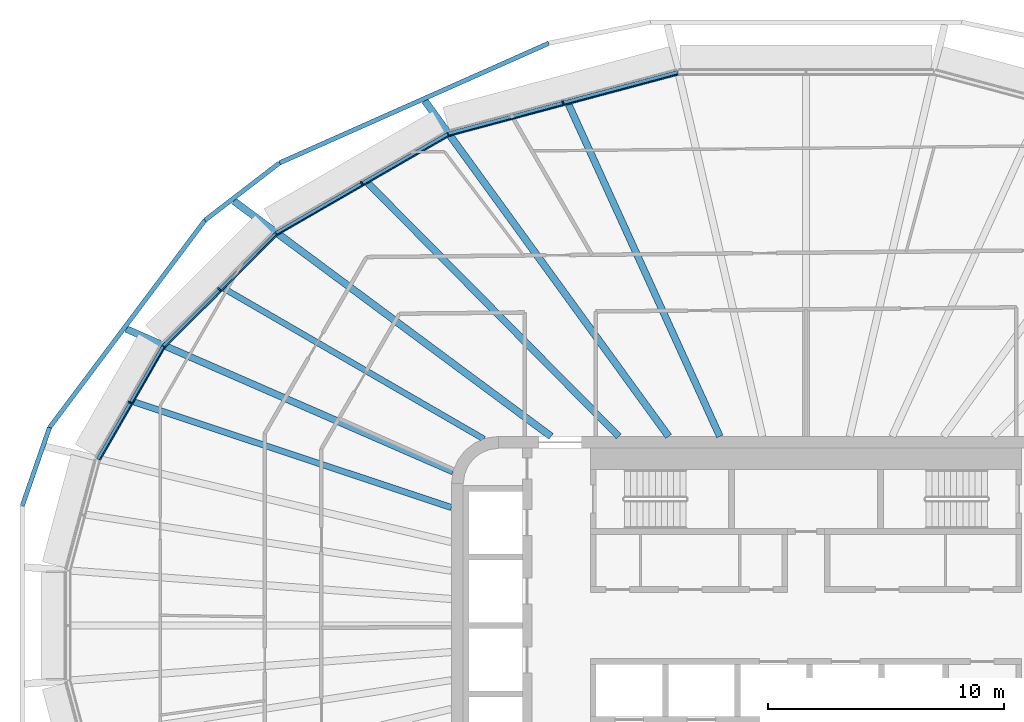
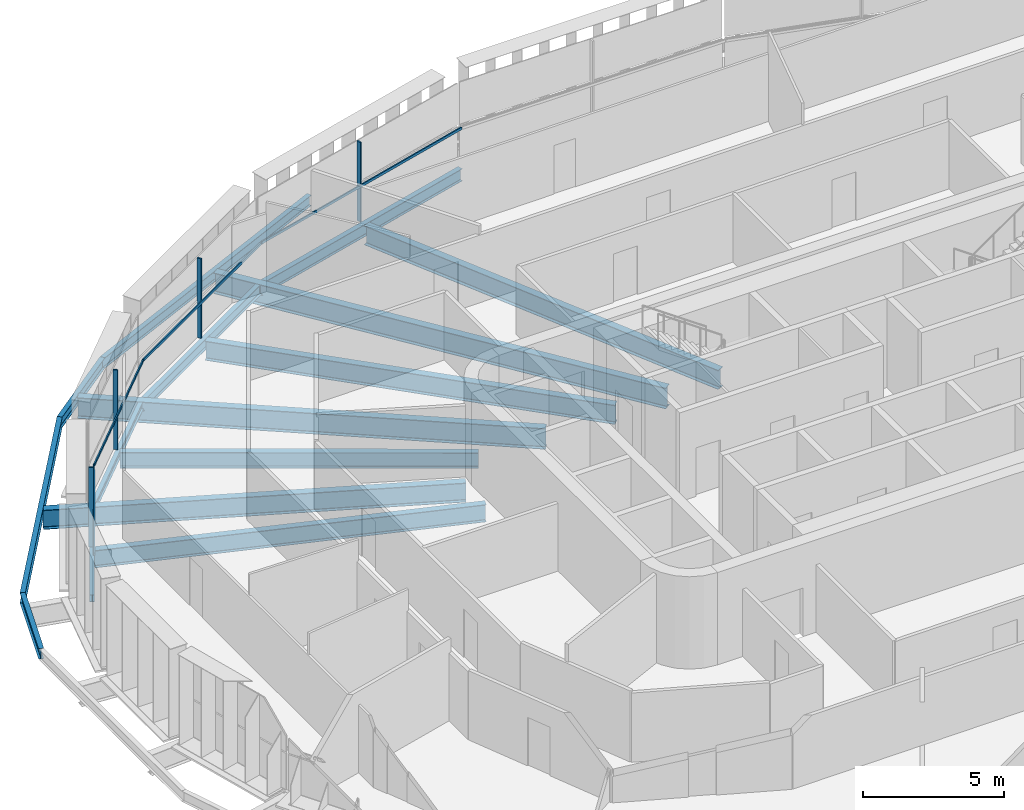
# One storey, part 5 of 23: 15 beams, 8 members, 4 elements without a shape of their own.
"""IFC4 building model written with IfcOpenShell, lengths in metres."""

from ifc_helpers import new_model, si_unit, direction, frame, origin, origin_2d, place, context, subcontext, project, spatial, rectangle, i_section, extrude, material, layer, layer_set, material_profile, profile_set, type_object, element, aggregate, save


model = new_model("IFC4")

# Units and contexts
model_context = context("Model", 3, precision=1e-05, world=origin(), true_north=direction((0.0, 1.0)))
body_context = subcontext(model_context, "Body", "Model", "MODEL_VIEW")
ifc_project = project(units=[si_unit("LENGTHUNIT", "METRE"), si_unit("AREAUNIT", "SQUARE_METRE"), si_unit("VOLUMEUNIT", "CUBIC_METRE"), si_unit("PLANEANGLEUNIT", "RADIAN"), si_unit("MASSUNIT", "GRAM", prefix="KILO")], contexts=[model_context])

# Site, building, storey
site_placement = place(None, origin())
site = spatial("IfcSite", under=ifc_project, at=site_placement, CompositionType="ELEMENT")
building_placement = place(site_placement, origin())
building = spatial("IfcBuilding", under=site, at=building_placement, Name="Sahrelin Media Tower", CompositionType="ELEMENT")
storey_placement = place(building_placement, frame((0.0, 0.0, 161.60009765625)))
storey = spatial("IfcBuildingStorey", under=building, at=storey_placement, Name="L33", CompositionType="ELEMENT", Elevation=161.60009765625)

# Beams
ifc_material_1 = material(Name="Steel S355", Category="steel")
ifc_material_profile_1 = material_profile(ifc_material_1, i_section(OverallWidth=0.1650390625, OverallDepth=0.303466796875, WebThickness=0.006103515625, FlangeThickness=0.01025390625, FilletRadius=0.0087890625, at=origin_2d()), Name="UB 305x165x40")
ifc_profile_set_1 = profile_set([ifc_material_profile_1], Name="Steel S355")
beam_type_1 = type_object("IfcBeamType", Name="Edge beam EB2", PredefinedType="BEAM", material=ifc_profile_set_1)
beam_1_placement = place(storey_placement, frame((-29.936279296875, 7.03125, -0.3017578125), z_axis=(0.499996181239, 0.866027608536, 0.0), x_axis=(-0.866027608536, 0.499996181239, 0.0)))
element("IfcBeam", 1, at=beam_1_placement, inside=storey, type_object=beam_type_1, Name="Edge beam L33-15", PredefinedType="BEAM", context=body_context, shape_type="SweptSolid", body=[
    extrude(i_section(OverallWidth=0.1650390625, OverallDepth=0.303466796875, WebThickness=0.006103515625, FlangeThickness=0.01025390625, FilletRadius=0.0087890625, at=origin_2d()), origin(), (0.0, 0.0, 1.0), 5.50732421875),
])
ifc_material_profile_2 = material_profile(ifc_material_1, i_section(OverallWidth=0.17138671875, OverallDepth=0.35498046875, WebThickness=0.00732421875, FlangeThickness=0.011474609375, FilletRadius=0.01025390625, at=origin_2d()), Name="UB 356x171x51")
ifc_profile_set_2 = profile_set([ifc_material_profile_2], Name="Steel S355")
beam_type_2 = type_object("IfcBeamType", Name="Edge beam EB3", PredefinedType="BEAM", material=ifc_profile_set_2)
beam_2_placement = place(storey_placement, frame((-27.1650390625, 11.823486328125, -0.32763671875), z_axis=(0.707088574851, 0.707124987054, 0.0), x_axis=(-0.707124987054, 0.707088574851, 0.0)))
element("IfcBeam", 2, at=beam_2_placement, inside=storey, type_object=beam_type_2, Name="Edge beam L33-16", PredefinedType="BEAM", context=body_context, shape_type="SweptSolid", body=[
    extrude(i_section(OverallWidth=0.17138671875, OverallDepth=0.35498046875, WebThickness=0.00732421875, FlangeThickness=0.011474609375, FilletRadius=0.01025390625, at=origin_2d()), origin(), (0.0, 0.0, 1.0), 6.704833984375),
])
ifc_material_profile_3 = material_profile(ifc_material_1, i_section(OverallWidth=0.1904296875, OverallDepth=0.45703125, WebThickness=0.009033203125, FlangeThickness=0.014404296875, FilletRadius=0.01025390625, at=origin_2d()), Name="UB 457x191x74")
ifc_profile_set_3 = profile_set([ifc_material_profile_3], Name="Steel S355")
beam_type_3 = type_object("IfcBeamType", Name="Edge beam EB5", PredefinedType="BEAM", material=ifc_profile_set_3)
beam_3_placement = place(storey_placement, frame((-22.401123046875, 16.58203125, -0.378662109375), z_axis=(0.866019985848, 0.500009384024, 0.0), x_axis=(-0.500009384024, 0.866019985848, 0.0)))
element("IfcBeam", 3, at=beam_3_placement, inside=storey, type_object=beam_type_3, Name="Edge beam L33-17", PredefinedType="BEAM", context=body_context, shape_type="SweptSolid", body=[
    extrude(i_section(OverallWidth=0.1904296875, OverallDepth=0.45703125, WebThickness=0.009033203125, FlangeThickness=0.014404296875, FilletRadius=0.01025390625, at=origin_2d()), origin(), (0.0, 0.0, 1.0), 8.371826171875),
])
ifc_material_profile_4 = material_profile(ifc_material_1, i_section(OverallWidth=0.208740234375, OverallDepth=0.5283203125, WebThickness=0.009521484375, FlangeThickness=0.01318359375, FilletRadius=0.0126953125, at=origin_2d()), Name="UB 533x210x82")
ifc_profile_set_4 = profile_set([ifc_material_profile_4], Name="Steel S355")
beam_type_4 = type_object("IfcBeamType", Name="Edge beam EB6", PredefinedType="BEAM", material=ifc_profile_set_4)
beam_4_placement = place(storey_placement, frame((-15.124267578125, 20.779052734375, -0.414306640625), z_axis=(0.965924398273, 0.258824374473, 0.0), x_axis=(-0.258824374473, 0.965924398273, 0.0)))
element("IfcBeam", 4, at=beam_4_placement, inside=storey, type_object=beam_type_4, Name="Edge beam L33-18", PredefinedType="BEAM", context=body_context, shape_type="SweptSolid", body=[
    extrude(i_section(OverallWidth=0.208740234375, OverallDepth=0.5283203125, WebThickness=0.009521484375, FlangeThickness=0.01318359375, FilletRadius=0.0126953125, at=origin_2d()), origin(), (0.0, 0.0, 1.0), 10.0439453125),
])

# Curtain wall, member
ifc_material_2 = material(Name="Champagne anodised aluminium 6063-T6", Category="aluminium")
ifc_layer = layer(ifc_material_2, 0.14990234375)
ifc_layer_set = layer_set([ifc_layer], Name="Tower ribbon curtain wall")
curtain_wall_type = type_object("IfcCurtainWallType", Name="Tower ribbon curtain wall", PredefinedType="NOTDEFINED", material=ifc_layer_set)
curtain_wall_1_placement = place(storey_placement, frame((-10.312255859375, 22.2236328125, 0.0), z_axis=(0.0, 0.0, 1.0), x_axis=(1.0, 0.0, 0.0)))
curtain_wall_1 = element("IfcCurtainWall", 5, at=curtain_wall_1_placement, inside=storey, type_object=curtain_wall_type, Name="L33:CW:L33-07", PredefinedType="NOTDEFINED")
ifc_material_profile_5 = material_profile(ifc_material_2, rectangle(XDim=0.06005859375, YDim=0.175048828125, at=origin_2d()), Name="Mullion 60x175")
ifc_profile_set_5 = profile_set([ifc_material_profile_5], Name="Champagne anodised aluminium 6063-T6")
member_type_1 = type_object("IfcMemberType", Name="Mullion 60x175 CW1B", PredefinedType="MULLION", material=ifc_profile_set_5)
member_1_placement = place(storey_placement, frame((-10.284423828125, 22.119873046875, 0.0), z_axis=(0.0, 0.0, 1.0), x_axis=(-0.965926729732, -0.258815673384, 0.0)))
member_1 = element("IfcMember", 6, at=member_1_placement, type_object=member_type_1, Name="L33:CWM:L33-07", PredefinedType="MULLION", context=body_context, shape_type="SweptSolid", body=[
    extrude(rectangle(XDim=0.06005859375, YDim=0.175048828125, at=origin_2d()), origin(), (0.0, 0.0, 1.0), 3.448486328125),
])

curtain_wall_2_placement = place(storey_placement, frame((-18.85107421875, 18.804931640625, 0.0), z_axis=(0.0, 0.0, 1.0), x_axis=(1.0, 0.0, 0.0)))
curtain_wall_2 = element("IfcCurtainWall", 7, at=curtain_wall_2_placement, inside=storey, type_object=curtain_wall_type, Name="L33:CW:L33-08", PredefinedType="NOTDEFINED")
member_2_placement = place(storey_placement, frame((-18.797119140625, 18.7119140625, 0.0), z_axis=(0.0, 0.0, 1.0), x_axis=(-0.866025403784, -0.5, 0.0)))
member_2 = element("IfcMember", 8, at=member_2_placement, type_object=member_type_1, Name="L33:CWM:L33-08", PredefinedType="MULLION", context=body_context, shape_type="SweptSolid", body=[
    extrude(rectangle(XDim=0.06005859375, YDim=0.175048828125, at=origin_2d()), origin(), (0.0, 0.0, 1.0), 3.448486328125),
])

curtain_wall_3_placement = place(storey_placement, frame((-24.900390625, 14.300048828125, 0.0), z_axis=(0.0, 0.0, 1.0), x_axis=(1.0, 0.0, 0.0)))
curtain_wall_3 = element("IfcCurtainWall", 9, at=curtain_wall_3_placement, inside=storey, type_object=curtain_wall_type, Name="L33:CW:L33-09", PredefinedType="NOTDEFINED")
member_3_placement = place(storey_placement, frame((-24.824462890625, 14.22412109375, 0.0), z_axis=(0.0, 0.0, 1.0), x_axis=(-0.707106781187, -0.707106781187, 0.0)))
member_3 = element("IfcMember", 10, at=member_3_placement, type_object=member_type_1, Name="L33:CWM:L33-09", PredefinedType="MULLION", context=body_context, shape_type="SweptSolid", body=[
    extrude(rectangle(XDim=0.06005859375, YDim=0.175048828125, at=origin_2d()), origin(), (0.0, 0.0, 1.0), 3.448486328125),
])

curtain_wall_4_placement = place(storey_placement, frame((-28.689208984375, 9.490966796875, 0.0), z_axis=(0.0, 0.0, 1.0), x_axis=(1.0, 0.0, 0.0)))
curtain_wall_4 = element("IfcCurtainWall", 11, at=curtain_wall_4_placement, inside=storey, type_object=curtain_wall_type, Name="L33:CW:L33-10", PredefinedType="NOTDEFINED")
member_4_placement = place(storey_placement, frame((-28.59619140625, 9.437255859375, 0.0), z_axis=(0.0, 0.0, 1.0), x_axis=(-0.4999984885, -0.866026276448, 0.0)))
member_4 = element("IfcMember", 12, at=member_4_placement, type_object=member_type_1, Name="L33:CWM:L33-10", PredefinedType="MULLION", context=body_context, shape_type="SweptSolid", body=[
    extrude(rectangle(XDim=0.06005859375, YDim=0.175048828125, at=origin_2d()), origin(), (0.0, 0.0, 1.0), 3.448486328125),
])

# Beams
ifc_material_profile_6 = material_profile(ifc_material_1, i_section(OverallWidth=0.291748046875, OverallDepth=0.8349609375, WebThickness=0.013916015625, FlangeThickness=0.018798828125, FilletRadius=0.017822265625, at=origin_2d()), Name="UB 838x292x176")
ifc_profile_set_6 = profile_set([ifc_material_profile_6], Name="Steel S355")
beam_type_5 = type_object("IfcBeamType", Name="Radial primary beam PB10", PredefinedType="BEAM", material=ifc_profile_set_6)
beam_5_placement = place(storey_placement, frame((-14.9326171875, 6.51318359375, -0.567626953125), z_axis=(-0.916605175985, 0.399793635964, 0.0), x_axis=(-0.399793635964, -0.916605175985, 0.0)))
element("IfcBeam", 13, at=beam_5_placement, inside=storey, type_object=beam_type_5, Name="Radial beam L33-10", PredefinedType="BEAM", context=body_context, shape_type="SweptSolid", body=[
    extrude(i_section(OverallWidth=0.291748046875, OverallDepth=0.8349609375, WebThickness=0.013916015625, FlangeThickness=0.018798828125, FilletRadius=0.017822265625, at=origin_2d()), origin(), (0.0, 0.0, 1.0), 15.082275390625),
])
ifc_material_profile_7 = material_profile(ifc_material_1, i_section(OverallWidth=0.30322265625, OverallDepth=0.903076171875, WebThickness=0.01513671875, FlangeThickness=0.020263671875, FilletRadius=0.01904296875, at=origin_2d()), Name="UB 914x305x201")
ifc_profile_set_7 = profile_set([ifc_material_profile_7], Name="Steel S355")
beam_type_6 = type_object("IfcBeamType", Name="Radial primary beam PB11", PredefinedType="BEAM", material=ifc_profile_set_7)
beam_6_placement = place(storey_placement, frame((-5.8125, 8.0, -0.6015625), z_axis=(-0.587799384359, 0.809006726639, 0.0), x_axis=(-0.809006726639, -0.587799384359, 0.0)))
element("IfcBeam", 14, at=beam_6_placement, inside=storey, type_object=beam_type_6, Name="Radial beam L33-08", PredefinedType="BEAM", context=body_context, shape_type="SweptSolid", body=[
    extrude(i_section(OverallWidth=0.30322265625, OverallDepth=0.903076171875, WebThickness=0.01513671875, FlangeThickness=0.020263671875, FilletRadius=0.01904296875, at=origin_2d()), origin(), (0.0, 0.0, 1.0), 17.54833984375),
])
beam_7_placement = place(storey_placement, frame((-10.784423828125, 8.0, -0.6015625), z_axis=(-0.803147173912, 0.595780678637, 0.0), x_axis=(-0.595780678637, -0.803147173912, 0.0)))
element("IfcBeam", 15, at=beam_7_placement, inside=storey, type_object=beam_type_6, Name="Radial beam L33-09", PredefinedType="BEAM", context=body_context, shape_type="SweptSolid", body=[
    extrude(i_section(OverallWidth=0.30322265625, OverallDepth=0.903076171875, WebThickness=0.01513671875, FlangeThickness=0.020263671875, FilletRadius=0.01904296875, at=origin_2d()), origin(), (0.0, 0.0, 1.0), 16.7158203125),
])
ifc_material_profile_8 = material_profile(ifc_material_1, i_section(OverallWidth=0.291748046875, OverallDepth=0.8349609375, WebThickness=0.013916015625, FlangeThickness=0.018798828125, FilletRadius=0.017822265625, at=origin_2d()), Name="UB 838x292x176")
ifc_profile_set_8 = profile_set([ifc_material_profile_8], Name="Steel S355")
beam_type_7 = type_object("IfcBeamType", Name="Radial secondary beam SB10", PredefinedType="BEAM", material=ifc_profile_set_8)
beam_8_placement = place(storey_placement, frame((-3.64501953125, 8.0, -0.567626953125), z_axis=(-0.414613847662, 0.909997449077, 0.0), x_axis=(-0.909997449077, -0.414613847662, 0.0)))
element("IfcBeam", 16, at=beam_8_placement, inside=storey, type_object=beam_type_7, Name="Secondary beam L33-07", PredefinedType="BEAM", context=body_context, shape_type="SweptSolid", body=[
    extrude(i_section(OverallWidth=0.291748046875, OverallDepth=0.8349609375, WebThickness=0.013916015625, FlangeThickness=0.018798828125, FilletRadius=0.017822265625, at=origin_2d()), origin(), (0.0, 0.0, 1.0), 15.421630859375),
])
beam_9_placement = place(storey_placement, frame((-7.921142578125, 8.0, -0.567626953125), z_axis=(-0.703599162107, 0.710597086317, 0.0), x_axis=(-0.710597086317, -0.703599162107, 0.0)))
element("IfcBeam", 17, at=beam_9_placement, inside=storey, type_object=beam_type_7, Name="Secondary beam L33-08", PredefinedType="BEAM", context=body_context, shape_type="SweptSolid", body=[
    extrude(i_section(OverallWidth=0.291748046875, OverallDepth=0.8349609375, WebThickness=0.013916015625, FlangeThickness=0.018798828125, FilletRadius=0.017822265625, at=origin_2d()), origin(), (0.0, 0.0, 1.0), 15.071533203125),
])
ifc_material_profile_9 = material_profile(ifc_material_1, i_section(OverallWidth=0.2529296875, OverallDepth=0.677978515625, WebThickness=0.01171875, FlangeThickness=0.01611328125, FilletRadius=0.01513671875, at=origin_2d()), Name="UB 686x254x125")
ifc_profile_set_9 = profile_set([ifc_material_profile_9], Name="Steel S355")
beam_type_8 = type_object("IfcBeamType", Name="Radial secondary beam SB8", PredefinedType="BEAM", material=ifc_profile_set_9)
beam_10_placement = place(storey_placement, frame((-13.624755859375, 7.887451171875, -0.489013671875), z_axis=(-0.865442516247, 0.501008234535, 0.0), x_axis=(-0.501008234535, -0.865442516247, 0.0)))
element("IfcBeam", 18, at=beam_10_placement, inside=storey, type_object=beam_type_8, Name="Secondary beam L33-09", PredefinedType="BEAM", context=body_context, shape_type="SweptSolid", body=[
    extrude(i_section(OverallWidth=0.2529296875, OverallDepth=0.677978515625, WebThickness=0.01171875, FlangeThickness=0.01611328125, FilletRadius=0.01513671875, at=origin_2d()), origin(), (0.0, 0.0, 1.0), 12.700927734375),
])
ifc_material_profile_10 = material_profile(ifc_material_1, i_section(OverallWidth=0.26513671875, OverallDepth=0.75390625, WebThickness=0.0126953125, FlangeThickness=0.017578125, FilletRadius=0.0166015625, at=origin_2d()), Name="UB 762x267x147")
ifc_profile_set_10 = profile_set([ifc_material_profile_10], Name="Steel S355")
beam_type_9 = type_object("IfcBeamType", Name="Radial secondary beam SB9", PredefinedType="BEAM", material=ifc_profile_set_10)
beam_11_placement = place(storey_placement, frame((-15.0, 4.990234375, -0.527099609375), z_axis=(-0.948867590332, 0.315674351219, 0.0), x_axis=(-0.315674351219, -0.948867590332, 0.0)))
element("IfcBeam", 19, at=beam_11_placement, inside=storey, type_object=beam_type_9, Name="Secondary beam L33-10", PredefinedType="BEAM", context=body_context, shape_type="SweptSolid", body=[
    extrude(i_section(OverallWidth=0.26513671875, OverallDepth=0.75390625, WebThickness=0.0126953125, FlangeThickness=0.017578125, FilletRadius=0.0166015625, at=origin_2d()), origin(), (0.0, 0.0, 1.0), 14.162353515625),
])
ifc_material_profile_11 = material_profile(ifc_material_1, i_section(OverallWidth=0.1904296875, OverallDepth=0.45703125, WebThickness=0.009033203125, FlangeThickness=0.014404296875, FilletRadius=0.01025390625, at=origin_2d()), Name="UB 457x191x74")
ifc_profile_set_11 = profile_set([ifc_material_profile_11], Name="Steel S355")
beam_type_10 = type_object("IfcBeamType", Name="Tie chord TC5", PredefinedType="BEAM", material=ifc_profile_set_11)
beam_12_placement = place(storey_placement, frame((-10.8828125, 24.631591796875, -0.378662109375), z_axis=(-0.913823664299, -0.40611120468, 0.0), x_axis=(0.40611120468, -0.913823664299, 0.0)))
element("IfcBeam", 20, at=beam_12_placement, inside=storey, type_object=beam_type_10, Name="Tie chord L33-08", PredefinedType="BEAM", context=body_context, shape_type="SweptSolid", body=[
    extrude(i_section(OverallWidth=0.1904296875, OverallDepth=0.45703125, WebThickness=0.009033203125, FlangeThickness=0.014404296875, FilletRadius=0.01025390625, at=origin_2d()), origin(), (0.0, 0.0, 1.0), 12.464111328125),
])
beam_13_placement = place(storey_placement, frame((-22.272705078125, 19.56982421875, -0.378662109375), z_axis=(-0.792471121329, -0.609909437424, 0.0), x_axis=(0.609909437424, -0.792471121329, 0.0)))
element("IfcBeam", 21, at=beam_13_placement, inside=storey, type_object=beam_type_10, Name="Tie chord L33-09", PredefinedType="BEAM", context=body_context, shape_type="SweptSolid", body=[
    extrude(i_section(OverallWidth=0.1904296875, OverallDepth=0.45703125, WebThickness=0.009033203125, FlangeThickness=0.014404296875, FilletRadius=0.01025390625, at=origin_2d()), origin(), (0.0, 0.0, 1.0), 3.978515625),
])
beam_14_placement = place(storey_placement, frame((-25.425537109375, 17.143310546875, -0.378662109375), z_axis=(-0.600060592458, -0.799954552071, 0.0), x_axis=(0.799954552071, -0.600060592458, 0.0)))
element("IfcBeam", 22, at=beam_14_placement, inside=storey, type_object=beam_type_10, Name="Tie chord L33-10", PredefinedType="BEAM", context=body_context, shape_type="SweptSolid", body=[
    extrude(i_section(OverallWidth=0.1904296875, OverallDepth=0.45703125, WebThickness=0.009033203125, FlangeThickness=0.014404296875, FilletRadius=0.01025390625, at=origin_2d()), origin(), (0.0, 0.0, 1.0), 10.959228515625),
])
beam_15_placement = place(storey_placement, frame((-32.001708984375, 8.37646484375, -0.378662109375), z_axis=(-0.328720253027, -0.944427337199, 0.0), x_axis=(0.944427337199, -0.328720253027, 0.0)))
element("IfcBeam", 23, at=beam_15_placement, inside=storey, type_object=beam_type_10, Name="Tie chord L33-11", PredefinedType="BEAM", context=body_context, shape_type="SweptSolid", body=[
    extrude(i_section(OverallWidth=0.1904296875, OverallDepth=0.45703125, WebThickness=0.009033203125, FlangeThickness=0.014404296875, FilletRadius=0.01025390625, at=origin_2d()), origin(), (0.0, 0.0, 1.0), 3.510009765625),
])

# Member
ifc_material_profile_12 = material_profile(ifc_material_2, rectangle(XDim=0.050048828125, YDim=0.110107421875, at=origin_2d()), Name="Transom 50x110")
ifc_profile_set_12 = profile_set([ifc_material_profile_12], Name="Champagne anodised aluminium 6063-T6")
member_type_2 = type_object("IfcMemberType", Name="Transom 50x110 CW1B", PredefinedType="USERDEFINED", material=ifc_profile_set_12)
member_5_placement = place(storey_placement, frame((-5.419677734375, 23.306884765625, 1.599853515625), z_axis=(-0.965929113775, -0.258806775726, 0.0), x_axis=(0.258806775726, -0.965929113775, 0.0)))
member_5 = element("IfcMember", 24, at=member_5_placement, type_object=member_type_2, Name="L33:CWT:L33-07", ObjectType="TRANSOM", PredefinedType="USERDEFINED", context=body_context, shape_type="SweptSolid", body=[
    extrude(rectangle(XDim=0.050048828125, YDim=0.110107421875, at=origin_2d()), origin(), (0.0, 0.0, 1.0), 10.012451171875),
])

aggregate(curtain_wall_1, [member_1, member_5])

member_6_placement = place(storey_placement, frame((-15.12939453125, 20.69970703125, 1.599853515625), z_axis=(-0.866018876994, -0.500011304563, 0.0), x_axis=(0.500011304563, -0.866018876994, 0.0)))
member_6 = element("IfcMember", 25, at=member_6_placement, type_object=member_type_2, Name="L33:CWT:L33-08", ObjectType="TRANSOM", PredefinedType="USERDEFINED", context=body_context, shape_type="SweptSolid", body=[
    extrude(rectangle(XDim=0.050048828125, YDim=0.110107421875, at=origin_2d()), origin(), (0.0, 0.0, 1.0), 8.340576171875),
])

aggregate(curtain_wall_2, [member_2, member_6])

member_7_placement = place(storey_placement, frame((-22.385498046875, 16.50390625, 1.599853515625), z_axis=(-0.707125072767, -0.707088489133, 0.0), x_axis=(0.707088489133, -0.707125072767, 0.0)))
member_7 = element("IfcMember", 26, at=member_7_placement, type_object=member_type_2, Name="L33:CWT:L33-09", ObjectType="TRANSOM", PredefinedType="USERDEFINED", context=body_context, shape_type="SweptSolid", body=[
    extrude(rectangle(XDim=0.050048828125, YDim=0.110107421875, at=origin_2d()), origin(), (0.0, 0.0, 1.0), 6.673583984375),
])

aggregate(curtain_wall_3, [member_3, member_7])

member_8_placement = place(storey_placement, frame((-27.1298828125, 11.752197265625, 1.599853515625), z_axis=(-0.49998489776, -0.866034122891, 0.0), x_axis=(0.866034122891, -0.49998489776, 0.0)))
member_8 = element("IfcMember", 27, at=member_8_placement, type_object=member_type_2, Name="L33:CWT:L33-10", ObjectType="TRANSOM", PredefinedType="USERDEFINED", context=body_context, shape_type="SweptSolid", body=[
    extrude(rectangle(XDim=0.050048828125, YDim=0.110107421875, at=origin_2d()), origin(), (0.0, 0.0, 1.0), 5.475830078125),
])

aggregate(curtain_wall_4, [member_4, member_8])

save(model, "model.ifc")
